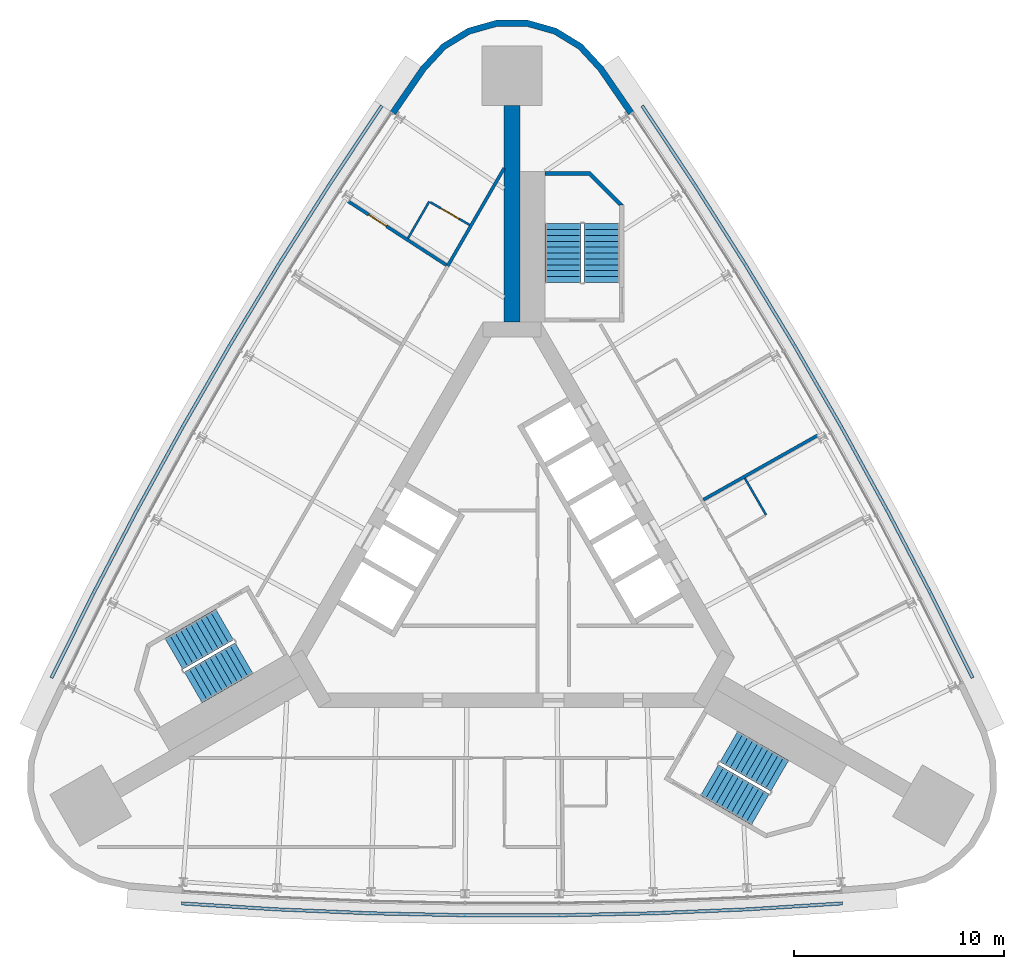
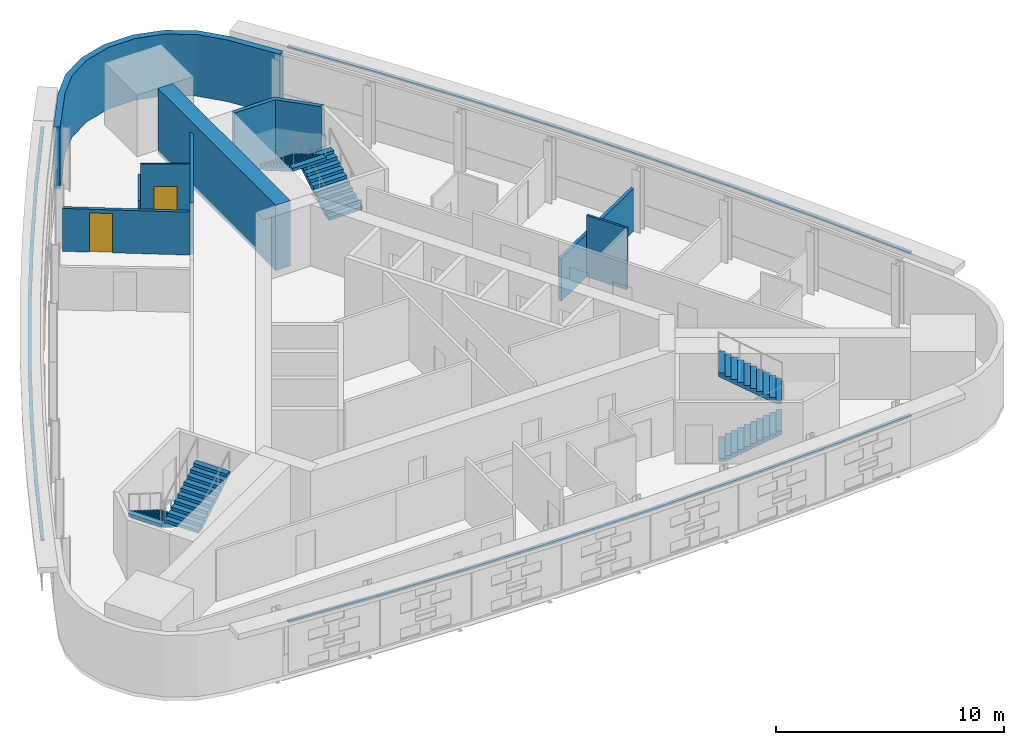
# One storey, part 10 of 12: 9 walls, 6 stair flights, 3 discrete accessories, 2 doors, 2 openings, 3 elements without a shape of their own.
"""IFC4 building model written with IfcOpenShell, lengths in metres."""

from ifc_helpers import new_model, si_unit, direction, frame, frame_2d, origin, place, context, subcontext, project, spatial, polyline, rectangle, outline, extrude, material, layer, layer_set, type_object, element, fill, aggregate, save


model = new_model("IFC4")

# Units and contexts
model_context = context("Model", 3, precision=1e-05, world=origin(), true_north=direction((0.0, 1.0)))
body_context = subcontext(model_context, "Body", "Model", "MODEL_VIEW")
ifc_project = project(units=[si_unit("LENGTHUNIT", "METRE"), si_unit("AREAUNIT", "SQUARE_METRE"), si_unit("VOLUMEUNIT", "CUBIC_METRE"), si_unit("PLANEANGLEUNIT", "RADIAN"), si_unit("MASSUNIT", "GRAM", prefix="KILO")], contexts=[model_context])

# Site, building, storey
site_placement = place(None, origin())
site = spatial("IfcSite", under=ifc_project, at=site_placement, CompositionType="ELEMENT")
building_placement = place(site_placement, origin())
building = spatial("IfcBuilding", under=site, at=building_placement, Name="Noor Cloister Tower", CompositionType="ELEMENT")
storey_placement = place(building_placement, frame((0.0, 0.0, 165.300048828125)))
storey = spatial("IfcBuildingStorey", under=building, at=storey_placement, Name="L42", CompositionType="ELEMENT", Elevation=165.300048828125)

# Walls
ifc_material_1 = material(Name="Concrete C70/85", Category="concrete")
ifc_layer_1 = layer(ifc_material_1, 0.75)
ifc_layer_set_1 = layer_set([ifc_layer_1], Name="Buttress wall 750 C70/85")
wall_type_1 = type_object("IfcWallType", Name="Buttress wall 750 C70/85", PredefinedType="SHEAR", material=ifc_layer_set_1)
wall_1_placement = place(storey_placement, frame((0.0, 11.456298828125, -0.199951171875), z_axis=(0.0, 0.0, 1.0), x_axis=(0.0, 1.0, 0.0)))
element("IfcWall", 1, at=wall_1_placement, inside=storey, type_object=wall_type_1, Name="Buttress wall N L42", PredefinedType="SHEAR", context=body_context, shape_type="SweptSolid", body=[
    extrude(rectangle(XDim=10.330810546875, YDim=0.75, at=frame_2d((5.16552734375, 0.0))), origin(), (0.0, 0.0, 1.0), 3.5),
])
ifc_material_2 = material(Name="Fire-rated gypsum board partition on steel studs, 150 mm", Category="steel")
ifc_layer_2 = layer(ifc_material_2, 0.14990234375)
ifc_layer_set_2 = layer_set([ifc_layer_2], Name="Fire lobby wall 150")
wall_type_2 = type_object("IfcWallType", Name="Fire lobby wall 150", PredefinedType="PARTITIONING", material=ifc_layer_set_2)
wall_2_placement = place(storey_placement, frame((-0.375, 18.806884765625, 0.0), z_axis=(0.0, 0.0, 1.0), x_axis=(-0.499989180974, -0.866031650062, 0.0)))
element("IfcWall", 2, at=wall_2_placement, inside=storey, type_object=wall_type_2, Name="Wall L42-W24", PredefinedType="PARTITIONING", context=body_context, shape_type="SweptSolid", body=[
    extrude(rectangle(XDim=5.3876953125, YDim=0.14990234375, at=frame_2d((2.69384765625, 0.0))), origin(), (0.0, 0.0, 1.0), 2.7470703125),
])
ifc_material_3 = material(Name="Gypsum board partition on steel studs, 150 mm", Category="steel")
ifc_layer_3 = layer(ifc_material_3, 0.14990234375)
ifc_layer_set_3 = layer_set([ifc_layer_3], Name="Flat wall 150")
wall_type_3 = type_object("IfcWallType", Name="Flat wall 150", PredefinedType="PARTITIONING", material=ifc_layer_set_3)
wall_3_placement = place(storey_placement, frame((14.582275390625, 6.060302734375, 0.0), z_axis=(0.0, 0.0, 1.0), x_axis=(-0.871229292109, -0.490876278272, 0.0)))
element("IfcWall", 3, at=wall_3_placement, inside=storey, type_object=wall_type_3, Name="Wall L42-W03", PredefinedType="PARTITIONING", context=body_context, shape_type="SweptSolid", body=[
    extrude(rectangle(XDim=6.255859375, YDim=0.14990234375, at=frame_2d((3.1279296875, 0.0))), origin(), (0.0, 0.0, 1.0), 2.296875),
])

# Wall, opening, door
wall_4_placement = place(storey_placement, frame((-7.81982421875, 17.226318359375, 0.0), z_axis=(0.0, 0.0, 1.0), x_axis=(0.838649113596, -0.544672070391, 0.0)))
wall_4 = element("IfcWall", 4, at=wall_4_placement, inside=storey, type_object=wall_type_3, Name="Wall L42-W26", PredefinedType="PARTITIONING", context=body_context, shape_type="SweptSolid", body=[
    extrude(rectangle(XDim=5.58984375, YDim=0.14990234375, at=frame_2d((2.794921875, 0.0))), origin(), (0.0, 0.0, 1.0), 2.296875),
])
opening_1_placement = place(wall_4_placement, frame((1.180908203125, 0.0, 0.0)))
opening_1 = element("IfcOpeningElement", 5, at=opening_1_placement, cuts=wall_4, Name="Opening L42-018", PredefinedType="OPENING", context=body_context, shape_type="SweptSolid", body=[
    extrude(rectangle(XDim=1.0, YDim=2.10009765625, at=frame_2d((0.5, 1.050048828125))), frame((0.0, 0.0849609375, 0.0), z_axis=(0.0, -1.0, 0.0), x_axis=(1.0, 0.0, 0.0)), (0.0, 0.0, 1.0), 0.169921875),
])
ifc_material_4 = material(Name="Timber door leaf with steel frame", Category="steel")
door_type_1 = type_object("IfcDoorType", Name="Flat entrance door 1000", OperationType="NOTDEFINED", PredefinedType="DOOR", material=ifc_material_4)
door_1_placement = place(opening_1_placement, origin())
door_1 = element("IfcDoor", 6, at=door_1_placement, inside=storey, type_object=door_type_1, Name="Door L42-018", OperationType="SINGLE_SWING_RIGHT", OverallHeight=2.10009765625, OverallWidth=1.0, PredefinedType="DOOR", context=body_context, shape_type="SweptSolid", body=[
    extrude(rectangle(XDim=1.0, YDim=2.10009765625, at=frame_2d((0.5, 1.050048828125))), frame((0.0, 0.02490234375, 0.0), z_axis=(0.0, -1.0, 0.0), x_axis=(1.0, 0.0, 0.0)), (0.0, 0.0, 1.0), 0.050048828125),
])
fill(opening_1, door_1)

# Walls
ifc_material_5 = material(Name="Limestone", Category="masonry")
ifc_layer_4 = layer(ifc_material_5, 0.300048828125)
ifc_layer_set_4 = layer_set([ifc_layer_4], Name="Limestone cladding 300")
wall_type_4 = type_object("IfcWallType", Name="Limestone cladding 300", PredefinedType="NOTDEFINED", material=ifc_layer_set_4)
wall_5_placement = place(storey_placement, origin())
element("IfcWall", 7, at=wall_5_placement, inside=storey, type_object=wall_type_4, Name="Limestone pier cladding L42 3.1", PredefinedType="NOTDEFINED", context=body_context, shape_type="SweptSolid", body=[
    extrude(outline(polyline([(5.8095703125, 21.5244140625), (4.335693359375, 23.665283203125), (3.3525390625, 24.728271484375), (2.11767578125, 25.484619140625), (0.72412109375, 25.87744140625), (-0.72412109375, 25.87744140625), (-2.11767578125, 25.484619140625), (-3.3525390625, 24.728271484375), (-4.335693359375, 23.665283203125), (-5.8095703125, 21.5244140625), (-5.5625, 21.354248046875), (-4.100830078125, 23.477294921875), (-3.160400390625, 24.494140625), (-1.996337890625, 25.20703125), (-0.6826171875, 25.57763671875), (0.6826171875, 25.57763671875), (1.996337890625, 25.20703125), (3.160400390625, 24.494140625), (4.100830078125, 23.477294921875), (5.5625, 21.354248046875), (5.8095703125, 21.5244140625)])), origin(), (0.0, 0.0, 1.0), 3.300048828125),
])
ifc_material_6 = material(Name="Gypsum board partition on steel studs, 100 mm", Category="steel")
ifc_layer_5 = layer(ifc_material_6, 0.10009765625)
ifc_layer_set_5 = layer_set([ifc_layer_5], Name="Partition 100")
wall_type_5 = type_object("IfcWallType", Name="Partition 100", PredefinedType="PARTITIONING", material=ifc_layer_set_5)
wall_6_placement = place(storey_placement, frame((11.10791015625, 4.016845703125, 0.0), z_axis=(0.0, 0.0, 1.0), x_axis=(0.500028539159, -0.866008926066, 0.0)))
element("IfcWall", 8, at=wall_6_placement, inside=storey, type_object=wall_type_5, Name="Wall L42-W10", PredefinedType="PARTITIONING", context=body_context, shape_type="SweptSolid", body=[
    extrude(rectangle(XDim=2.025390625, YDim=0.10009765625, at=frame_2d((1.0126953125, 0.0))), origin(), (0.0, 0.0, 1.0), 3.300048828125),
])
wall_7_placement = place(storey_placement, frame((-4.962890625, 15.460205078125, 0.0), z_axis=(0.0, 0.0, 1.0), x_axis=(0.499990325971, 0.866030989016, 0.0)))
element("IfcWall", 9, at=wall_7_placement, inside=storey, type_object=wall_type_5, Name="Wall L42-W29", PredefinedType="PARTITIONING", context=body_context, shape_type="SweptSolid", body=[
    extrude(rectangle(XDim=2.02490234375, YDim=0.10009765625, at=frame_2d((1.012451171875, 0.0))), origin(), (0.0, 0.0, 1.0), 2.7470703125),
])

# Wall, opening, door
wall_8_placement = place(storey_placement, frame((-3.9072265625, 17.18896484375, 0.0), z_axis=(0.0, 0.0, 1.0), x_axis=(0.865989304205, -0.500062521093, 0.0)))
wall_8 = element("IfcWall", 10, at=wall_8_placement, inside=storey, type_object=wall_type_5, Name="Wall L42-W30", PredefinedType="PARTITIONING", context=body_context, shape_type="SweptSolid", body=[
    extrude(rectangle(XDim=2.175048828125, YDim=0.10009765625, at=frame_2d((1.08740234375, 0.0))), origin(), (0.0, 0.0, 1.0), 3.300048828125),
])
opening_2_placement = place(wall_8_placement, frame((0.60009765625, 0.0, 0.0)))
opening_2 = element("IfcOpeningElement", 11, at=opening_2_placement, cuts=wall_8, Name="Opening L42-017", PredefinedType="OPENING", context=body_context, shape_type="SweptSolid", body=[
    extrude(rectangle(XDim=1.0, YDim=2.10009765625, at=frame_2d((0.5, 1.050048828125))), frame((0.0, 0.06005859375, 0.0), z_axis=(0.0, -1.0, 0.0), x_axis=(1.0, 0.0, 0.0)), (0.0, 0.0, 1.0), 0.1201171875),
])
ifc_material_7 = material(Name="Timber door leaf with steel frame", Category="steel")
door_type_2 = type_object("IfcDoorType", Name="Interior door 1000", OperationType="NOTDEFINED", PredefinedType="DOOR", material=ifc_material_7)
door_2_placement = place(opening_2_placement, origin())
door_2 = element("IfcDoor", 12, at=door_2_placement, inside=storey, type_object=door_type_2, Name="Door L42-017", OperationType="SINGLE_SWING_LEFT", OverallHeight=2.10009765625, OverallWidth=1.0, PredefinedType="DOOR", context=body_context, shape_type="SweptSolid", body=[
    extrude(rectangle(XDim=1.0, YDim=2.10009765625, at=frame_2d((0.5, 1.050048828125))), frame((0.0, 0.02490234375, 0.0), z_axis=(0.0, -1.0, 0.0), x_axis=(1.0, 0.0, 0.0)), (0.0, 0.0, 1.0), 0.050048828125),
])
fill(opening_2, door_2)

# Wall
ifc_material_8 = material(Name="Concrete C70/85", Category="concrete")
wall_type_6 = type_object("IfcWallType", Name="Stair far end wall C70/85", PredefinedType="SHEAR", material=ifc_material_8)
wall_9_placement = place(storey_placement, frame((0.0, 0.0, -0.199951171875)))
element("IfcWall", 13, at=wall_9_placement, inside=storey, type_object=wall_type_6, Name="Stair enclosure wall ST1 L42 far end", PredefinedType="SHEAR", context=body_context, shape_type="SweptSolid", body=[
    extrude(outline(polyline([(5.335693359375, 17.056396484375), (3.735595703125, 18.656494140625), (1.585693359375, 18.656494140625), (1.585693359375, 18.456298828125), (3.65283203125, 18.456298828125), (5.135498046875, 16.9736328125), (5.135498046875, 17.056396484375), (5.135498046875, 17.056396484375), (5.135498046875, 17.056396484375), (5.135498046875, 17.056396484375), (5.135498046875, 17.056396484375), (5.135498046875, 17.056396484375), (5.135498046875, 17.056396484375), (5.135498046875, 17.056396484375), (5.135498046875, 17.056396484375), (5.135498046875, 17.056396484375), (5.135498046875, 17.056396484375), (5.135498046875, 17.056396484375), (5.135498046875, 17.056396484375), (5.135498046875, 17.056396484375), (5.135498046875, 17.056396484375), (5.135498046875, 17.056396484375), (5.135498046875, 17.056396484375), (5.335693359375, 17.056396484375)])), origin(), (0.0, 0.0, 1.0), 3.5),
])

# Stair, stair flights
ifc_material_9 = material(Name="Concrete C40/50", Category="concrete")
stair_type = type_object("IfcStairType", Name="Exit stair 22 risers", PredefinedType="HALF_TURN_STAIR", material=ifc_material_9)
stair_1_placement = place(storey_placement, origin())
stair_1 = element("IfcStair", 14, at=stair_1_placement, inside=storey, type_object=stair_type, Name="Exit stair ST1 L42", PredefinedType="HALF_TURN_STAIR")
ifc_material_10 = material(Name="Concrete C40/50", Category="concrete")
stair_flight_type = type_object("IfcStairFlightType", Name="Exit stair flight", PredefinedType="STRAIGHT", material=ifc_material_10)
stair_flight_1_placement = place(storey_placement, frame((4.28564453125, 13.3564453125, 0.0), z_axis=(0.0, 0.0, 1.0), x_axis=(0.0, 1.0, 0.0)))
stair_flight_1 = element("IfcStairFlight", 15, at=stair_flight_1_placement, type_object=stair_flight_type, Name="ST1 flight 1", NumberOfRisers=11, NumberOfTreads=10, PredefinedType="STRAIGHT", RiserHeight=0.163636364, TreadLength=0.28, context=body_context, shape_type="SweptSolid", body=[
    extrude(outline(polyline([(0.0, 0.0), (0.0, 0.16357421875), (0.280029296875, 0.16357421875), (0.280029296875, 0.327392578125), (0.56005859375, 0.327392578125), (0.56005859375, 0.490966796875), (0.840087890625, 0.490966796875), (0.840087890625, 0.654541015625), (1.1201171875, 0.654541015625), (1.1201171875, 0.818115234375), (1.39990234375, 0.818115234375), (1.39990234375, 0.98193359375), (1.679931640625, 0.98193359375), (1.679931640625, 1.1455078125), (1.9599609375, 1.1455078125), (1.9599609375, 1.30908203125), (2.239990234375, 1.30908203125), (2.239990234375, 1.47265625), (2.52001953125, 1.47265625), (2.52001953125, 1.636474609375), (2.800048828125, 1.636474609375), (2.800048828125, 1.800048828125), (2.800048828125, 1.462646484375), (0.297119140625, 0.0), (0.0, 0.0)])), frame((0.0, 0.85009765625, 0.0), z_axis=(0.0, -1.0, 0.0), x_axis=(1.0, 0.0, 0.0)), (0.0, 0.0, 1.0), 1.699951171875),
])
stair_flight_2_placement = place(storey_placement, frame((2.435546875, 16.156494140625, 1.800048828125), z_axis=(0.0, 0.0, 1.0), x_axis=(0.0, -1.0, 0.0)))
stair_flight_2 = element("IfcStairFlight", 16, at=stair_flight_2_placement, type_object=stair_flight_type, Name="ST1 flight 2", NumberOfRisers=11, NumberOfTreads=10, PredefinedType="STRAIGHT", RiserHeight=0.163636364, TreadLength=0.28, context=body_context, shape_type="SweptSolid", body=[
    extrude(outline(polyline([(0.0, 0.0), (0.0, 0.16357421875), (0.280029296875, 0.16357421875), (0.280029296875, 0.327392578125), (0.56005859375, 0.327392578125), (0.56005859375, 0.490966796875), (0.840087890625, 0.490966796875), (0.840087890625, 0.654541015625), (1.1201171875, 0.654541015625), (1.1201171875, 0.818115234375), (1.39990234375, 0.818115234375), (1.39990234375, 0.98193359375), (1.679931640625, 0.98193359375), (1.679931640625, 1.1455078125), (1.9599609375, 1.1455078125), (1.9599609375, 1.30908203125), (2.239990234375, 1.30908203125), (2.239990234375, 1.47265625), (2.52001953125, 1.47265625), (2.52001953125, 1.636474609375), (2.800048828125, 1.636474609375), (2.800048828125, 1.800048828125), (2.800048828125, 1.462646484375), (0.297119140625, 0.0), (0.0, 0.0)])), frame((0.0, 0.85009765625, 0.0), z_axis=(0.0, -1.0, 0.0), x_axis=(1.0, 0.0, 0.0)), (0.0, 0.0, 1.0), 1.699951171875),
])
aggregate(stair_1, [stair_flight_1, stair_flight_2])

stair_2_placement = place(storey_placement, origin())
stair_2 = element("IfcStair", 17, at=stair_2_placement, inside=storey, type_object=stair_type, Name="Exit stair ST2 L42", PredefinedType="HALF_TURN_STAIR")
stair_flight_3_placement = place(storey_placement, frame((-13.709716796875, -2.966796875, 0.0), z_axis=(0.0, 0.0, 1.0), x_axis=(-0.866025403784, -0.5, 0.0)))
stair_flight_3 = element("IfcStairFlight", 18, at=stair_flight_3_placement, type_object=stair_flight_type, Name="ST2 flight 1", NumberOfRisers=11, NumberOfTreads=10, PredefinedType="STRAIGHT", RiserHeight=0.163636364, TreadLength=0.28, context=body_context, shape_type="SweptSolid", body=[
    extrude(outline(polyline([(0.0, 0.0), (0.0, 0.16357421875), (0.280029296875, 0.16357421875), (0.280029296875, 0.327392578125), (0.56005859375, 0.327392578125), (0.56005859375, 0.490966796875), (0.840087890625, 0.490966796875), (0.840087890625, 0.654541015625), (1.1201171875, 0.654541015625), (1.1201171875, 0.818115234375), (1.39990234375, 0.818115234375), (1.39990234375, 0.98193359375), (1.679931640625, 0.98193359375), (1.679931640625, 1.1455078125), (1.9599609375, 1.1455078125), (1.9599609375, 1.30908203125), (2.239990234375, 1.30908203125), (2.239990234375, 1.47265625), (2.52001953125, 1.47265625), (2.52001953125, 1.636474609375), (2.800048828125, 1.636474609375), (2.800048828125, 1.800048828125), (2.800048828125, 1.462646484375), (0.297119140625, 0.0), (0.0, 0.0)])), frame((0.0, 0.85009765625, 0.0), z_axis=(0.0, -1.0, 0.0), x_axis=(1.0, 0.0, 0.0)), (0.0, 0.0, 1.0), 1.699951171875),
])
stair_flight_4_placement = place(storey_placement, frame((-15.209716796875, -5.968994140625, 1.800048828125), z_axis=(0.0, 0.0, 1.0), x_axis=(0.866025403784, 0.5, 0.0)))
stair_flight_4 = element("IfcStairFlight", 19, at=stair_flight_4_placement, type_object=stair_flight_type, Name="ST2 flight 2", NumberOfRisers=11, NumberOfTreads=10, PredefinedType="STRAIGHT", RiserHeight=0.163636364, TreadLength=0.28, context=body_context, shape_type="SweptSolid", body=[
    extrude(outline(polyline([(0.0, 0.0), (0.0, 0.16357421875), (0.280029296875, 0.16357421875), (0.280029296875, 0.327392578125), (0.56005859375, 0.327392578125), (0.56005859375, 0.490966796875), (0.840087890625, 0.490966796875), (0.840087890625, 0.654541015625), (1.1201171875, 0.654541015625), (1.1201171875, 0.818115234375), (1.39990234375, 0.818115234375), (1.39990234375, 0.98193359375), (1.679931640625, 0.98193359375), (1.679931640625, 1.1455078125), (1.9599609375, 1.1455078125), (1.9599609375, 1.30908203125), (2.239990234375, 1.30908203125), (2.239990234375, 1.47265625), (2.52001953125, 1.47265625), (2.52001953125, 1.636474609375), (2.800048828125, 1.636474609375), (2.800048828125, 1.800048828125), (2.800048828125, 1.462646484375), (0.297119140625, 0.0), (0.0, 0.0)])), frame((0.0, 0.85009765625, 0.0), z_axis=(0.0, -1.0, 0.0), x_axis=(1.0, 0.0, 0.0)), (0.0, 0.0, 1.0), 1.699951171875),
])
aggregate(stair_2, [stair_flight_3, stair_flight_4])

stair_3_placement = place(storey_placement, origin())
stair_3 = element("IfcStair", 20, at=stair_3_placement, inside=storey, type_object=stair_type, Name="Exit stair ST3 L42", PredefinedType="HALF_TURN_STAIR")
stair_flight_5_placement = place(storey_placement, frame((9.424072265625, -10.3896484375, 0.0), z_axis=(0.0, 0.0, 1.0), x_axis=(0.866025403784, -0.5, 0.0)))
stair_flight_5 = element("IfcStairFlight", 21, at=stair_flight_5_placement, type_object=stair_flight_type, Name="ST3 flight 1", NumberOfRisers=11, NumberOfTreads=10, PredefinedType="STRAIGHT", RiserHeight=0.163636364, TreadLength=0.28, context=body_context, shape_type="SweptSolid", body=[
    extrude(outline(polyline([(0.0, 0.0), (0.0, 0.16357421875), (0.280029296875, 0.16357421875), (0.280029296875, 0.327392578125), (0.56005859375, 0.327392578125), (0.56005859375, 0.490966796875), (0.840087890625, 0.490966796875), (0.840087890625, 0.654541015625), (1.1201171875, 0.654541015625), (1.1201171875, 0.818115234375), (1.39990234375, 0.818115234375), (1.39990234375, 0.98193359375), (1.679931640625, 0.98193359375), (1.679931640625, 1.1455078125), (1.9599609375, 1.1455078125), (1.9599609375, 1.30908203125), (2.239990234375, 1.30908203125), (2.239990234375, 1.47265625), (2.52001953125, 1.47265625), (2.52001953125, 1.636474609375), (2.800048828125, 1.636474609375), (2.800048828125, 1.800048828125), (2.800048828125, 1.462646484375), (0.297119140625, 0.0), (0.0, 0.0)])), frame((0.0, 0.85009765625, 0.0), z_axis=(0.0, -1.0, 0.0), x_axis=(1.0, 0.0, 0.0)), (0.0, 0.0, 1.0), 1.699951171875),
])
stair_flight_6_placement = place(storey_placement, frame((12.77392578125, -10.1875, 1.800048828125), z_axis=(0.0, 0.0, 1.0), x_axis=(-0.866025403784, 0.5, 0.0)))
stair_flight_6 = element("IfcStairFlight", 22, at=stair_flight_6_placement, type_object=stair_flight_type, Name="ST3 flight 2", NumberOfRisers=11, NumberOfTreads=10, PredefinedType="STRAIGHT", RiserHeight=0.163636364, TreadLength=0.28, context=body_context, shape_type="SweptSolid", body=[
    extrude(outline(polyline([(0.0, 0.0), (0.0, 0.16357421875), (0.280029296875, 0.16357421875), (0.280029296875, 0.327392578125), (0.56005859375, 0.327392578125), (0.56005859375, 0.490966796875), (0.840087890625, 0.490966796875), (0.840087890625, 0.654541015625), (1.1201171875, 0.654541015625), (1.1201171875, 0.818115234375), (1.39990234375, 0.818115234375), (1.39990234375, 0.98193359375), (1.679931640625, 0.98193359375), (1.679931640625, 1.1455078125), (1.9599609375, 1.1455078125), (1.9599609375, 1.30908203125), (2.239990234375, 1.30908203125), (2.239990234375, 1.47265625), (2.52001953125, 1.47265625), (2.52001953125, 1.636474609375), (2.800048828125, 1.636474609375), (2.800048828125, 1.800048828125), (2.800048828125, 1.462646484375), (0.297119140625, 0.0), (0.0, 0.0)])), frame((0.0, 0.85009765625, 0.0), z_axis=(0.0, -1.0, 0.0), x_axis=(1.0, 0.0, 0.0)), (0.0, 0.0, 1.0), 1.699951171875),
])
aggregate(stair_3, [stair_flight_5, stair_flight_6])

# Discrete accessories
ifc_material_11 = material(Name="Stainless steel grade 316", Category="steel")
discrete_accessory_type = type_object("IfcDiscreteAccessoryType", Name="Stainless hanger rail", PredefinedType="BRACKET", material=ifc_material_11)
discrete_accessory_1_placement = place(storey_placement, frame((0.0, 0.0, 3.199951171875)))
element("IfcDiscreteAccessory", 23, at=discrete_accessory_1_placement, inside=storey, type_object=discrete_accessory_type, Name="Hanger rail L42", PredefinedType="BRACKET", context=body_context, shape_type="SweptSolid", body=[
    extrude(outline(polyline([(-6.276123046875, 21.834228515625), (-8.76953125, 18.081298828125), (-11.18701171875, 14.27197265625), (-13.524169921875, 10.4130859375), (-15.780029296875, 6.505859375), (-17.953369140625, 2.55224609375), (-20.043701171875, -1.446044921875), (-22.047119140625, -5.48193359375), (-21.90380859375, -5.55322265625), (-19.901123046875, -1.518798828125), (-17.8125, 2.4765625), (-15.640625, 6.42724609375), (-13.386474609375, 10.33154296875), (-11.051025390625, 14.187744140625), (-8.63525390625, 17.994140625), (-6.142822265625, 21.745849609375), (-6.276123046875, 21.834228515625)])), origin(), (0.0, 0.0, 1.0), 0.10009765625),
])
discrete_accessory_2_placement = place(storey_placement, frame((0.0, 0.0, 3.199951171875)))
element("IfcDiscreteAccessory", 24, at=discrete_accessory_2_placement, inside=storey, type_object=discrete_accessory_type, Name="Hanger rail L42", PredefinedType="BRACKET", context=body_context, shape_type="SweptSolid", body=[
    extrude(outline(polyline([(-15.77099609375, -16.352294921875), (-11.274169921875, -16.63525390625), (-6.7666015625, -16.82421875), (-2.255859375, -16.918701171875), (2.255859375, -16.918701171875), (6.7666015625, -16.82421875), (11.274169921875, -16.63525390625), (15.77099609375, -16.352294921875), (15.760986328125, -16.192626953125), (11.265869140625, -16.4755859375), (6.761474609375, -16.664306640625), (2.254150390625, -16.7587890625), (-2.254150390625, -16.7587890625), (-6.761474609375, -16.664306640625), (-11.265869140625, -16.4755859375), (-15.760986328125, -16.192626953125), (-15.77099609375, -16.352294921875)])), origin(), (0.0, 0.0, 1.0), 0.10009765625),
])
discrete_accessory_3_placement = place(storey_placement, frame((0.0, 0.0, 3.199951171875)))
element("IfcDiscreteAccessory", 25, at=discrete_accessory_3_placement, inside=storey, type_object=discrete_accessory_type, Name="Hanger rail L42", PredefinedType="BRACKET", context=body_context, shape_type="SweptSolid", body=[
    extrude(outline(polyline([(22.047119140625, -5.48193359375), (20.043701171875, -1.446044921875), (17.953369140625, 2.55224609375), (15.780029296875, 6.505859375), (13.524169921875, 10.4130859375), (11.18701171875, 14.27197265625), (8.76953125, 18.081298828125), (6.276123046875, 21.834228515625), (6.142822265625, 21.745849609375), (8.63525390625, 17.994140625), (11.051025390625, 14.187744140625), (13.386474609375, 10.33154296875), (15.640625, 6.42724609375), (17.8125, 2.4765625), (19.901123046875, -1.518798828125), (21.90380859375, -5.55322265625), (22.047119140625, -5.48193359375)])), origin(), (0.0, 0.0, 1.0), 0.10009765625),
])

save(model, "model.ifc")
